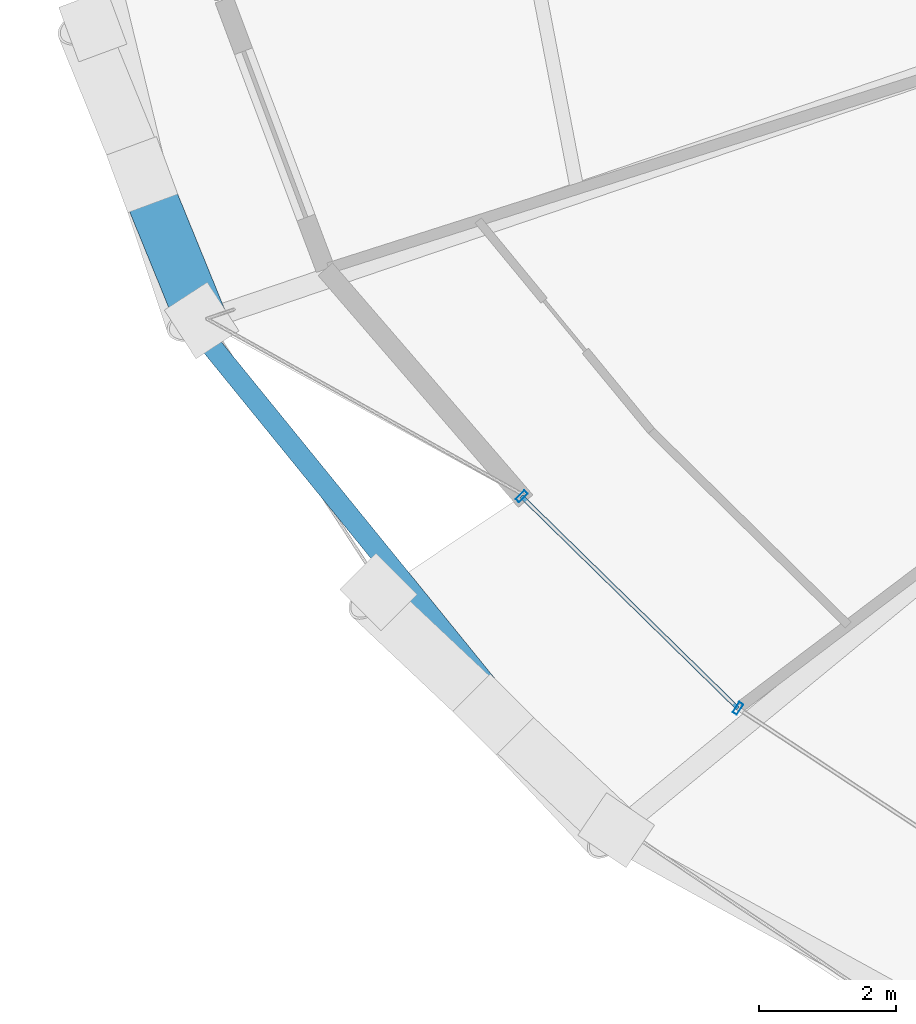
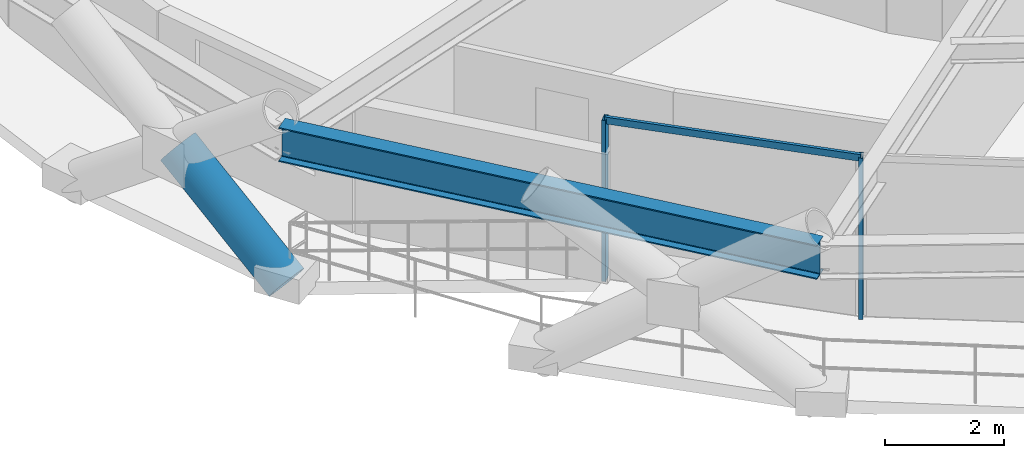
# One storey, part 2 of 18: 4 members, 1 beam, 1 element without a shape of its own.
"""IFC4 building model written with IfcOpenShell, lengths in metres."""

from ifc_helpers import new_model, si_unit, direction, frame, origin, origin_2d, place, context, subcontext, project, spatial, hollow_rectangle, hollow_circle, i_section, extrude, material, layer, layer_set, material_profile, profile_set, type_object, element, aggregate, save


model = new_model("IFC4")

# Units and contexts
model_context = context("Model", 3, precision=1e-05, world=origin(), true_north=direction((0.0, 1.0)))
body_context = subcontext(model_context, "Body", "Model", "MODEL_VIEW")
ifc_project = project(units=[si_unit("LENGTHUNIT", "METRE"), si_unit("AREAUNIT", "SQUARE_METRE"), si_unit("VOLUMEUNIT", "CUBIC_METRE"), si_unit("PLANEANGLEUNIT", "RADIAN"), si_unit("MASSUNIT", "GRAM", prefix="KILO")], contexts=[model_context])

# Site, building, storey
site_placement = place(None, origin())
site = spatial("IfcSite", under=ifc_project, at=site_placement, CompositionType="ELEMENT")
building_placement = place(site_placement, origin())
building = spatial("IfcBuilding", under=site, at=building_placement, Name="Veldorina Hangang Commons", CompositionType="ELEMENT")
storey_placement = place(building_placement, frame((0.0, 0.0, 41.199951171875)))
storey = spatial("IfcBuildingStorey", under=building, at=storey_placement, Name="L09", CompositionType="ELEMENT", Elevation=41.199951171875)

# Beam
ifc_material_1 = material(Name="Steel SM460-TMC", Category="steel")
ifc_material_profile_1 = material_profile(ifc_material_1, i_section(OverallWidth=0.300048828125, OverallDepth=0.699951171875, WebThickness=0.012939453125, FlangeThickness=0.02392578125, FilletRadius=0.02197265625, at=origin_2d()), Name="H-700x300x13x24")
ifc_profile_set_1 = profile_set([ifc_material_profile_1], Name="Steel SM460-TMC")
beam_type = type_object("IfcBeamType", Name="BM-RB700", PredefinedType="BEAM", material=ifc_profile_set_1)
beam_placement = place(storey_placement, frame((6.016357421875, 15.150634765625, 2.989990234375), z_axis=(0.630663930224, -0.77605605926, 0.0), x_axis=(0.77605605926, 0.630663930224, 0.0)))
element("IfcBeam", 1, at=beam_placement, inside=storey, type_object=beam_type, Name="L09 perimeter hoop ring beam 18", PredefinedType="BEAM", context=body_context, shape_type="SweptSolid", body=[
    extrude(i_section(OverallWidth=0.300048828125, OverallDepth=0.699951171875, WebThickness=0.012939453125, FlangeThickness=0.02392578125, FilletRadius=0.02197265625, at=origin_2d()), origin(), (0.0, 0.0, 1.0), 9.6669921875),
])

# Curtain wall, members
ifc_material_2 = material(Name="Glass Low-E Triple IGU", Category="glass")
ifc_layer = layer(ifc_material_2, 0.179931640625)
ifc_layer_set = layer_set([ifc_layer], Name="Glass Low-E Triple IGU")
curtain_wall_type = type_object("IfcCurtainWallType", Name="CW-SYS-Z1", PredefinedType="NOTDEFINED", material=ifc_layer_set)
curtain_wall_placement = place(storey_placement, origin())
curtain_wall = element("IfcCurtainWall", 2, at=curtain_wall_placement, inside=storey, type_object=curtain_wall_type, Name="L09 unitised curtain wall CW-L09-R1", PredefinedType="NOTDEFINED")
ifc_material_3 = material(Name="Aluminium Anodized AA6063-T6", Category="aluminium")
ifc_material_profile_2 = material_profile(ifc_material_3, hollow_rectangle(XDim=0.070068359375, YDim=0.179931640625, WallThickness=0.00390625, at=origin_2d()), Name="ALU-RHS-180x70x4")
ifc_profile_set_2 = profile_set([ifc_material_profile_2], Name="Aluminium Anodized AA6063-T6")
member_type_1 = type_object("IfcMemberType", Name="CW-MUL-180", PredefinedType="MULLION", material=ifc_profile_set_2)
member_1_placement = place(storey_placement, frame((10.818115234375, 12.62451171875, 0.0), z_axis=(0.0, 0.0, 1.0), x_axis=(0.71444825634, -0.699688279888, 0.0)))
member_1 = element("IfcMember", 3, at=member_1_placement, type_object=member_type_1, Name="CW-L09-R1 vertical mullion 1", PredefinedType="MULLION", context=body_context, shape_type="SweptSolid", body=[
    extrude(hollow_rectangle(XDim=0.070068359375, YDim=0.179931640625, WallThickness=0.00390625, at=origin_2d()), origin(), (0.0, 0.0, 1.0), 3.300048828125),
])
member_2_placement = place(storey_placement, frame((13.986083984375, 9.521728515625, 0.0), z_axis=(0.0, 0.0, 1.0), x_axis=(0.834751773535, -0.55062644014, 0.0)))
member_2 = element("IfcMember", 4, at=member_2_placement, type_object=member_type_1, Name="CW-L09-R1 vertical mullion 2", PredefinedType="MULLION", context=body_context, shape_type="SweptSolid", body=[
    extrude(hollow_rectangle(XDim=0.070068359375, YDim=0.179931640625, WallThickness=0.00390625, at=origin_2d()), origin(), (0.0, 0.0, 1.0), 3.300048828125),
])
ifc_material_profile_3 = material_profile(ifc_material_3, hollow_rectangle(XDim=0.06005859375, YDim=0.139892578125, WallThickness=0.00341796875, at=origin_2d()), Name="ALU-RHS-140x60x3.5")
ifc_profile_set_3 = profile_set([ifc_material_profile_3], Name="Aluminium Anodized AA6063-T6")
member_type_2 = type_object("IfcMemberType", Name="CW-TRN-140", PredefinedType="USERDEFINED", material=ifc_profile_set_3)
member_3_placement = place(storey_placement, frame((10.818115234375, 12.62451171875, 3.260009765625), z_axis=(0.714418679139, -0.699718479745, 0.0), x_axis=(0.699718479745, 0.714418679139, 0.0)))
member_3 = element("IfcMember", 5, at=member_3_placement, type_object=member_type_2, Name="CW-L09-R1 facet 1 transom 1", ObjectType="TRANSOM", PredefinedType="USERDEFINED", context=body_context, shape_type="SweptSolid", body=[
    extrude(hollow_rectangle(XDim=0.06005859375, YDim=0.139892578125, WallThickness=0.00341796875, at=origin_2d()), origin(), (0.0, 0.0, 1.0), 4.434326171875),
])
aggregate(curtain_wall, [member_1, member_2, member_3])

# Member
ifc_material_profile_4 = material_profile(ifc_material_1, hollow_circle(Radius=0.375, WallThickness=0.035888671875, at=origin_2d()), Name="CHS-750x36")
ifc_profile_set_4 = profile_set([ifc_material_profile_4], Name="Steel SM460-TMC")
member_type_3 = type_object("IfcMemberType", Name="DG-CHS750", PredefinedType="BRACE", material=ifc_profile_set_4)
member_4_placement = place(storey_placement, frame((6.135498046875, 15.199951171875, 0.0), z_axis=(-0.298032835248, 0.730706976606, 0.61420171235), x_axis=(-0.92594289633, -0.377663544357, 0.0)))
element("IfcMember", 6, at=member_4_placement, inside=storey, type_object=member_type_3, Name="L09 split perimeter diagrid lower brace 18", PredefinedType="BRACE", context=body_context, shape_type="SweptSolid", body=[
    extrude(hollow_circle(Radius=0.375, WallThickness=0.035888671875, at=origin_2d()), origin(), (0.0, 0.0, 1.0), 2.921142578125),
])

save(model, "model.ifc")
